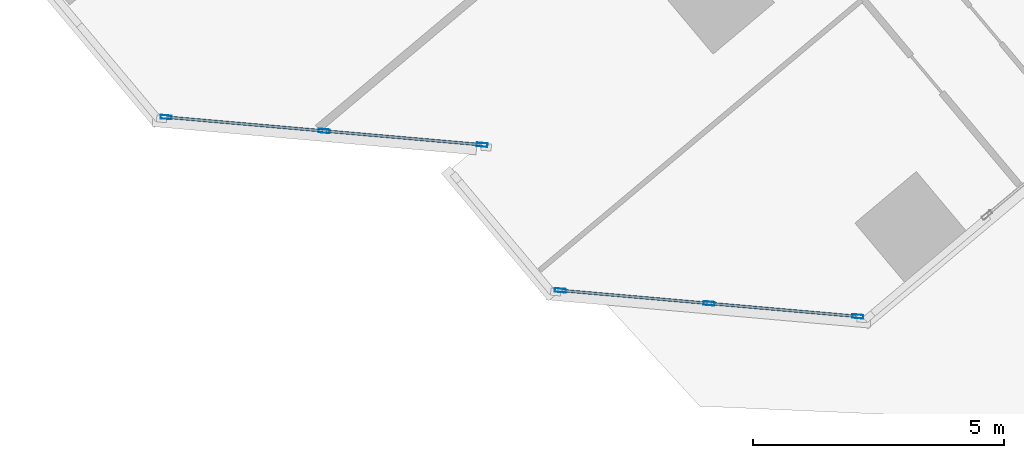
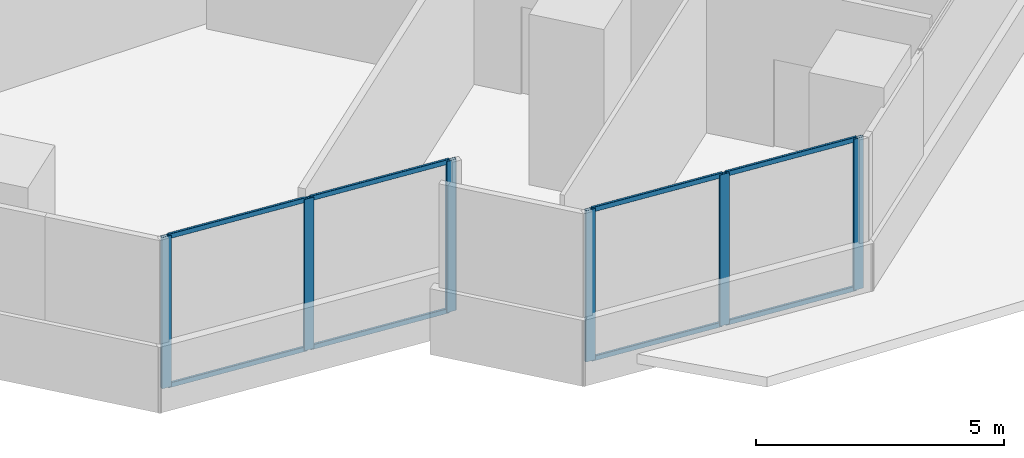
# One storey, part 3 of 17: 14 members, 2 elements without a shape of their own.
"""IFC4 building model written with IfcOpenShell, lengths in metres."""

from ifc_helpers import new_model, si_unit, direction, frame, origin, origin_2d, place, context, subcontext, project, spatial, hollow_rectangle, extrude, source, transform, mapped, material, material_profile, profile_set, type_object, element, aggregate, save


model = new_model("IFC4")

# Units and contexts
model_context = context("Model", 3, precision=1e-05, world=origin(), true_north=direction((0.0, 1.0)))
body_context = subcontext(model_context, "Body", "Model", "MODEL_VIEW")
ifc_project = project(units=[si_unit("LENGTHUNIT", "METRE"), si_unit("AREAUNIT", "SQUARE_METRE"), si_unit("VOLUMEUNIT", "CUBIC_METRE"), si_unit("PLANEANGLEUNIT", "RADIAN"), si_unit("MASSUNIT", "GRAM", prefix="KILO")], contexts=[model_context])

# Site, building, storey
site_placement = place(None, origin())
site = spatial("IfcSite", under=ifc_project, at=site_placement, CompositionType="ELEMENT")
building_placement = place(site_placement, origin())
building = spatial("IfcBuilding", under=site, at=building_placement, Name="Torre Montelarca", CompositionType="ELEMENT")
storey_placement = place(building_placement, frame((0.0, 0.0, 266.800048828125)))
storey = spatial("IfcBuildingStorey", under=building, at=storey_placement, Name="L60", CompositionType="ELEMENT", Elevation=266.800048828125)

# Curtain wall, members
ifc_material_1 = material(Name="Insulated low-E laminated glass", Category="glass")
curtain_wall_type = type_object("IfcCurtainWallType", Name="CW-SYS-Z3", PredefinedType="USERDEFINED", material=ifc_material_1)
curtain_wall_1_placement = place(storey_placement, origin())
curtain_wall_1 = element("IfcCurtainWall", 1, at=curtain_wall_1_placement, inside=storey, type_object=curtain_wall_type, Name="L60 Curtain Wall Run CW-T3-L60-E02-B1", ObjectType="UNITISED GLAZING", PredefinedType="USERDEFINED")
ifc_material_2 = material(Name="Anodised aluminium AA 6063-T6", Category="aluminium")
ifc_material_profile_1 = material_profile(ifc_material_2, hollow_rectangle(XDim=0.054931640625, YDim=0.1201171875, WallThickness=0.00341796875, InnerFilletRadius=0.00341796875, OuterFilletRadius=0.007080078125, at=origin_2d()), Name="ALU55X120X3.5", Category="aluminium")
ifc_profile_set_1 = profile_set([ifc_material_profile_1], Name="Anodised aluminium AA 6063-T6")
member_type_1 = type_object("IfcMemberType", Name="CWT-ALU120", PredefinedType="USERDEFINED", material=ifc_profile_set_1)
shared_shape_1 = source(origin(), body_context, "Body", "SweptSolid", [
    extrude(hollow_rectangle(XDim=0.054931640625, YDim=0.1201171875, WallThickness=0.00341796875, InnerFilletRadius=0.00341796875, OuterFilletRadius=0.007080078125, at=origin_2d()), origin(), (0.0, 0.0, 1.0), 3.08740234375),
])
member_1_placement = place(storey_placement, frame((13.722900390625, 13.3623046875, 0.02734375), z_axis=(0.996189081196, -0.087219920349, 0.0), x_axis=(0.087219920349, 0.996189081196, 0.0)))
member_1 = element("IfcMember", 2, at=member_1_placement, type_object=member_type_1, Name="CW transom 1.1", ObjectType="TRANSOM", PredefinedType="USERDEFINED", context=body_context, shape_type="MappedRepresentation", body=[
    mapped(shared_shape_1, transform((0.0, 0.0, 0.0), scale=1.0)),
])
member_2_placement = place(storey_placement, frame((13.722900390625, 13.3623046875, 3.6923828125), z_axis=(0.996189081196, -0.087219920349, 0.0), x_axis=(0.087219920349, 0.996189081196, 0.0)))
member_2 = element("IfcMember", 3, at=member_2_placement, type_object=member_type_1, Name="CW transom 1.2", ObjectType="TRANSOM", PredefinedType="USERDEFINED", context=body_context, shape_type="MappedRepresentation", body=[
    mapped(shared_shape_1, transform((0.0, 0.0, 0.0), scale=1.0)),
])
member_3_placement = place(storey_placement, frame((16.873291015625, 13.086669921875, 0.02734375), z_axis=(0.996189081196, -0.087219920349, 0.0), x_axis=(0.087219920349, 0.996189081196, 0.0)))
member_3 = element("IfcMember", 4, at=member_3_placement, type_object=member_type_1, Name="CW transom 2.1", ObjectType="TRANSOM", PredefinedType="USERDEFINED", context=body_context, shape_type="MappedRepresentation", body=[
    mapped(shared_shape_1, transform((0.0, 0.0, 0.0), scale=1.0)),
])
member_4_placement = place(storey_placement, frame((16.873291015625, 13.086669921875, 3.6923828125), z_axis=(0.996189081196, -0.087219920349, 0.0), x_axis=(0.087219920349, 0.996189081196, 0.0)))
member_4 = element("IfcMember", 5, at=member_4_placement, type_object=member_type_1, Name="CW transom 2.2", ObjectType="TRANSOM", PredefinedType="USERDEFINED", context=body_context, shape_type="MappedRepresentation", body=[
    mapped(shared_shape_1, transform((0.0, 0.0, 0.0), scale=1.0)),
])

curtain_wall_2_placement = place(storey_placement, origin())
curtain_wall_2 = element("IfcCurtainWall", 6, at=curtain_wall_2_placement, inside=storey, type_object=curtain_wall_type, Name="L60 Curtain Wall Run CW-T3-L60-E05-B1", ObjectType="UNITISED GLAZING", PredefinedType="USERDEFINED")
shared_shape_2 = source(origin(), body_context, "Body", "SweptSolid", [
    extrude(hollow_rectangle(XDim=0.054931640625, YDim=0.1201171875, WallThickness=0.00341796875, InnerFilletRadius=0.00341796875, OuterFilletRadius=0.007080078125, at=origin_2d()), origin(), (0.0, 0.0, 1.0), 2.903564453125),
])
member_5_placement = place(storey_placement, frame((24.550537109375, 9.646728515625, 0.02734375), z_axis=(0.996191526826, -0.087191982893, 0.0), x_axis=(0.087191982893, 0.996191526826, 0.0)))
member_5 = element("IfcMember", 7, at=member_5_placement, type_object=member_type_1, Name="CW transom 2.1", ObjectType="TRANSOM", PredefinedType="USERDEFINED", context=body_context, shape_type="MappedRepresentation", body=[
    mapped(shared_shape_2, transform((0.0, 0.0, 0.0), scale=1.0)),
])
member_6_placement = place(storey_placement, frame((24.550537109375, 9.646728515625, 3.6923828125), z_axis=(0.996191526826, -0.087191982893, 0.0), x_axis=(0.087191982893, 0.996191526826, 0.0)))
member_6 = element("IfcMember", 8, at=member_6_placement, type_object=member_type_1, Name="CW transom 2.2", ObjectType="TRANSOM", PredefinedType="USERDEFINED", context=body_context, shape_type="MappedRepresentation", body=[
    mapped(shared_shape_2, transform((0.0, 0.0, 0.0), scale=1.0)),
])
shared_shape_3 = source(origin(), body_context, "Body", "SweptSolid", [
    extrude(hollow_rectangle(XDim=0.054931640625, YDim=0.1201171875, WallThickness=0.00341796875, InnerFilletRadius=0.00341796875, OuterFilletRadius=0.007080078125, at=origin_2d()), origin(), (0.0, 0.0, 1.0), 2.9033203125),
])
member_7_placement = place(storey_placement, frame((21.58349609375, 9.90625, 0.02734375), z_axis=(0.996190887524, -0.08719928677, 0.0), x_axis=(0.08719928677, 0.996190887524, 0.0)))
member_7 = element("IfcMember", 9, at=member_7_placement, type_object=member_type_1, Name="CW transom 1.1", ObjectType="TRANSOM", PredefinedType="USERDEFINED", context=body_context, shape_type="MappedRepresentation", body=[
    mapped(shared_shape_3, transform((0.0, 0.0, 0.0), scale=1.0)),
])
member_8_placement = place(storey_placement, frame((21.58349609375, 9.90625, 3.6923828125), z_axis=(0.996190887524, -0.08719928677, 0.0), x_axis=(0.08719928677, 0.996190887524, 0.0)))
member_8 = element("IfcMember", 10, at=member_8_placement, type_object=member_type_1, Name="CW transom 1.2", ObjectType="TRANSOM", PredefinedType="USERDEFINED", context=body_context, shape_type="MappedRepresentation", body=[
    mapped(shared_shape_3, transform((0.0, 0.0, 0.0), scale=1.0)),
])

# Member
ifc_material_profile_2 = material_profile(ifc_material_2, hollow_rectangle(XDim=0.074951171875, YDim=0.219970703125, WallThickness=0.0048828125, InnerFilletRadius=0.0048828125, OuterFilletRadius=0.010009765625, at=origin_2d()), Name="ALU75X220X5", Category="aluminium")
ifc_profile_set_2 = profile_set([ifc_material_profile_2], Name="Anodised aluminium AA 6063-T6")
member_type_2 = type_object("IfcMemberType", Name="CWM-ALU220", PredefinedType="MULLION", material=ifc_profile_set_2)
shared_shape_4 = source(origin(), body_context, "Body", "SweptSolid", [
    extrude(hollow_rectangle(XDim=0.074951171875, YDim=0.219970703125, WallThickness=0.0048828125, InnerFilletRadius=0.0048828125, OuterFilletRadius=0.010009765625, at=origin_2d()), origin(), (0.0, 0.0, 1.0), 3.719970703125),
])
member_9_placement = place(storey_placement, frame((13.685546875, 13.365478515625, 0.0), z_axis=(0.0, 0.0, 1.0), x_axis=(0.087173734413, 0.996193123861, 0.0)))
member_9 = element("IfcMember", 11, at=member_9_placement, type_object=member_type_2, Name="CW mullion 1", PredefinedType="MULLION", context=body_context, shape_type="MappedRepresentation", body=[
    mapped(shared_shape_4, transform((0.0, 0.0, 0.0), scale=1.0)),
])

member_10_placement = place(storey_placement, frame((16.8359375, 13.08984375, 0.0), z_axis=(0.0, 0.0, 1.0), x_axis=(0.087173734413, 0.996193123861, 0.0)))
member_10 = element("IfcMember", 12, at=member_10_placement, type_object=member_type_2, Name="CW mullion 2", PredefinedType="MULLION", context=body_context, shape_type="MappedRepresentation", body=[
    mapped(shared_shape_4, transform((0.0, 0.0, 0.0), scale=1.0)),
])

member_11_placement = place(storey_placement, frame((19.986328125, 12.814208984375, 0.0), z_axis=(0.0, 0.0, 1.0), x_axis=(0.087173734413, 0.996193123861, 0.0)))
member_11 = element("IfcMember", 13, at=member_11_placement, type_object=member_type_2, Name="CW mullion 3", PredefinedType="MULLION", context=body_context, shape_type="MappedRepresentation", body=[
    mapped(shared_shape_4, transform((0.0, 0.0, 0.0), scale=1.0)),
])

aggregate(curtain_wall_1, [member_9, member_10, member_11, member_1, member_2, member_3, member_4])

member_12_placement = place(storey_placement, frame((21.546142578125, 9.909423828125, 0.0), z_axis=(0.0, 0.0, 1.0), x_axis=(0.087166127681, 0.996193789473, 0.0)))
member_12 = element("IfcMember", 14, at=member_12_placement, type_object=member_type_2, Name="CW mullion 1", PredefinedType="MULLION", context=body_context, shape_type="MappedRepresentation", body=[
    mapped(shared_shape_4, transform((0.0, 0.0, 0.0), scale=1.0)),
])

member_13_placement = place(storey_placement, frame((24.51318359375, 9.64990234375, 0.0), z_axis=(0.0, 0.0, 1.0), x_axis=(0.087166127681, 0.996193789473, 0.0)))
member_13 = element("IfcMember", 15, at=member_13_placement, type_object=member_type_2, Name="CW mullion 2", PredefinedType="MULLION", context=body_context, shape_type="MappedRepresentation", body=[
    mapped(shared_shape_4, transform((0.0, 0.0, 0.0), scale=1.0)),
])

member_14_placement = place(storey_placement, frame((27.48046875, 9.390380859375, 0.0), z_axis=(0.0, 0.0, 1.0), x_axis=(0.087166127681, 0.996193789473, 0.0)))
member_14 = element("IfcMember", 16, at=member_14_placement, type_object=member_type_2, Name="CW mullion 3", PredefinedType="MULLION", context=body_context, shape_type="MappedRepresentation", body=[
    mapped(shared_shape_4, transform((0.0, 0.0, 0.0), scale=1.0)),
])

aggregate(curtain_wall_2, [member_12, member_13, member_14, member_7, member_8, member_5, member_6])

save(model, "model.ifc")
